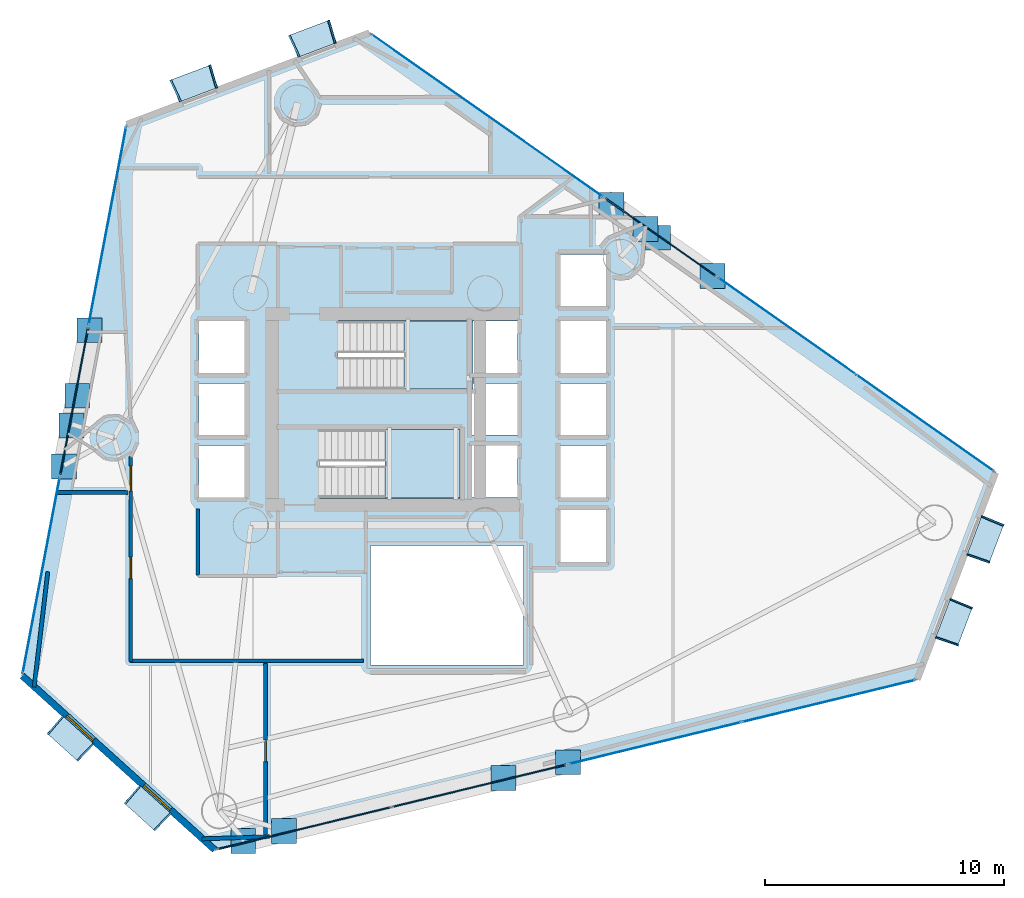
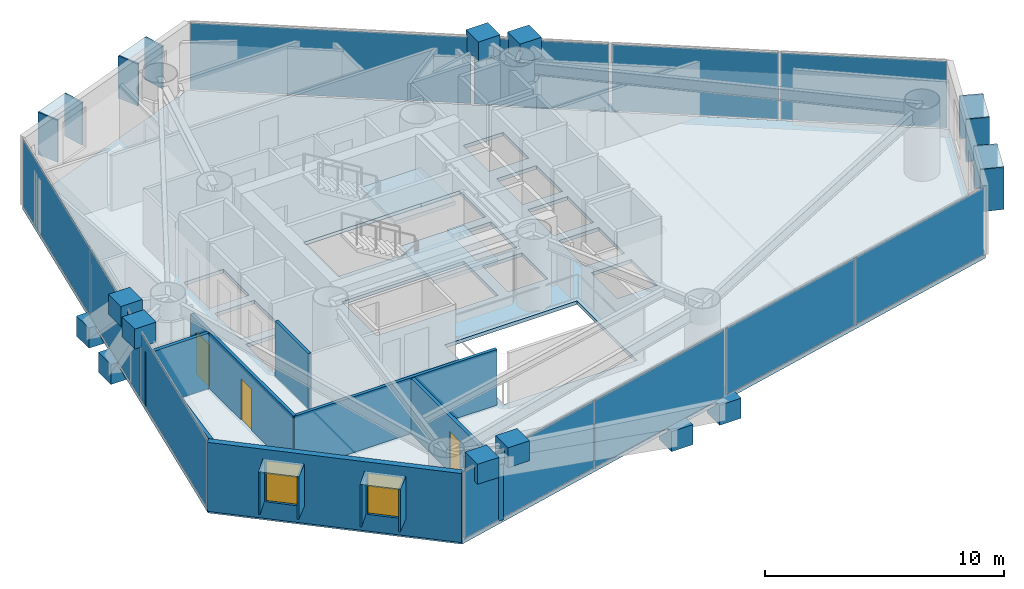
# One storey, part 18 of 24: 41 plates, 8 walls, 3 doors, 3 slabs, 2 windows, 5 openings, 10 elements without a shape of their own.
"""IFC4 building model written with IfcOpenShell, lengths in metres."""

from ifc_helpers import new_model, si_unit, direction, frame, frame_2d, origin, origin_2d, place, context, subcontext, project, spatial, polyline, rectangle, outline, extrude, material, layer, layer_set, type_object, element, fill, aggregate, save


model = new_model("IFC4")

# Units and contexts
model_context = context("Model", 3, precision=1e-05, world=origin(), true_north=direction((0.0, 1.0)))
body_context = subcontext(model_context, "Body", "Model", "MODEL_VIEW")
ifc_project = project(units=[si_unit("LENGTHUNIT", "METRE"), si_unit("AREAUNIT", "SQUARE_METRE"), si_unit("VOLUMEUNIT", "CUBIC_METRE"), si_unit("PLANEANGLEUNIT", "RADIAN"), si_unit("MASSUNIT", "GRAM", prefix="KILO")], contexts=[model_context])

# Site, building, storey
site_placement = place(None, origin())
site = spatial("IfcSite", under=ifc_project, at=site_placement, CompositionType="ELEMENT")
building_placement = place(site_placement, origin())
building = spatial("IfcBuilding", under=site, at=building_placement, Name="Qianvela Tower", CompositionType="ELEMENT")
storey_placement = place(building_placement, frame((0.0, 0.0, 101.5)))
storey = spatial("IfcBuildingStorey", under=building, at=storey_placement, Name="L25", CompositionType="ELEMENT", Elevation=101.5)

# Curtain wall, plate
ifc_material_1 = material(Name="Anodised Architectural Aluminium and Insulated Spandrel Panel", Category="aluminium")
ifc_layer_1 = layer(ifc_material_1, 0.179931640625)
ifc_layer_set_1 = layer_set([ifc_layer_1], Name="Anodised Architectural Aluminium and Insulated Spandrel Panel")
curtain_wall_type_1 = type_object("IfcCurtainWallType", Name="CW-BRACEBAY", PredefinedType="USERDEFINED", material=ifc_layer_set_1)
curtain_wall_1_placement = place(storey_placement, origin())
curtain_wall_1 = element("IfcCurtainWall", 1, at=curtain_wall_1_placement, inside=storey, type_object=curtain_wall_type_1, Name="L25 CW-BRACEBAY Curtain Wall 02B", ObjectType="CURTAIN_WALL_SYSTEM", PredefinedType="USERDEFINED")
ifc_material_2 = material(Name="Insulated Aluminium Spandrel Panel with Mineral-Wool Backpan", Category="aluminium")
ifc_layer_2 = layer(ifc_material_2, 0.06005859375)
ifc_layer_set_2 = layer_set([ifc_layer_2], Name="Insulated Aluminium Spandrel Panel with Mineral-Wool Backpan")
plate_type_1 = type_object("IfcPlateType", Name="CW-BRACEBAY-PNL", PredefinedType="CURTAIN_PANEL", material=ifc_layer_set_2)
plate_1_placement = place(storey_placement, frame((45.733154296875, 35.891845703125, 0.06494140625), z_axis=(0.0, 0.0, 1.0), x_axis=(-0.81841890017, 0.574622053044, 0.0)))
plate_1 = element("IfcPlate", 2, at=plate_1_placement, type_object=plate_type_1, Name="CW-9 panel 1.1", PredefinedType="CURTAIN_PANEL", context=body_context, shape_type="SweptSolid", body=[
    extrude(rectangle(XDim=5.66015625, YDim=0.06005859375, at=origin_2d()), origin(), (0.0, 0.0, 1.0), 3.389892578125),
])
aggregate(curtain_wall_1, [plate_1])

curtain_wall_2_placement = place(storey_placement, origin())
curtain_wall_2 = element("IfcCurtainWall", 3, at=curtain_wall_2_placement, inside=storey, type_object=curtain_wall_type_1, Name="L25 CW-BRACEBAY Curtain Wall 04B", ObjectType="CURTAIN_WALL_SYSTEM", PredefinedType="USERDEFINED")
plate_2_placement = place(storey_placement, frame((21.224365234375, 29.033935546875, 0.06494140625), z_axis=(0.0, 0.0, 1.0), x_axis=(-0.186011720937, -0.982547525402, 0.0)))
plate_2 = element("IfcPlate", 4, at=plate_2_placement, type_object=plate_type_1, Name="CW-9 panel 1.1", PredefinedType="CURTAIN_PANEL", context=body_context, shape_type="SweptSolid", body=[
    extrude(rectangle(XDim=6.260009765625, YDim=0.06005859375, at=origin_2d()), origin(), (0.0, 0.0, 1.0), 3.389892578125),
])
aggregate(curtain_wall_2, [plate_2])

# Curtain wall, plates
curtain_wall_3_placement = place(storey_placement, origin())
curtain_wall_3 = element("IfcCurtainWall", 5, at=curtain_wall_3_placement, inside=storey, type_object=curtain_wall_type_1, Name="L25 CW-BRACEBAY Curtain Wall 06A", ObjectType="CURTAIN_WALL_SYSTEM", PredefinedType="USERDEFINED")
plate_3_placement = place(storey_placement, frame((30.840087890625, 11.186279296875, 0.06494140625), z_axis=(0.0, 0.0, 1.0), x_axis=(0.971825595685, 0.235701106427, 0.0)))
plate_3 = element("IfcPlate", 6, at=plate_3_placement, type_object=plate_type_1, Name="CW-9 panel 1.1", PredefinedType="CURTAIN_PANEL", context=body_context, shape_type="SweptSolid", body=[
    extrude(rectangle(XDim=7.46240234375, YDim=0.06005859375, at=origin_2d()), origin(), (0.0, 0.0, 1.0), 3.389892578125),
])
plate_4_placement = place(storey_placement, frame((38.155517578125, 12.960693359375, 0.06494140625), z_axis=(0.0, 0.0, 1.0), x_axis=(0.971825595685, 0.235701106427, 0.0)))
plate_4 = element("IfcPlate", 7, at=plate_4_placement, type_object=plate_type_1, Name="CW-9 panel 2.1", PredefinedType="CURTAIN_PANEL", context=body_context, shape_type="SweptSolid", body=[
    extrude(rectangle(XDim=7.46240234375, YDim=0.06005859375, at=origin_2d()), origin(), (0.0, 0.0, 1.0), 3.389892578125),
])
aggregate(curtain_wall_3, [plate_3, plate_4])

ifc_material_3 = material(Name="Anodised Architectural Aluminium and Low-E Glass", Category="aluminium")
ifc_layer_3 = layer(ifc_material_3, 0.169921875)
ifc_layer_set_3 = layer_set([ifc_layer_3], Name="Anodised Architectural Aluminium and Low-E Glass")
curtain_wall_type_2 = type_object("IfcCurtainWallType", Name="CW-COLIV-Z34", PredefinedType="USERDEFINED", material=ifc_layer_set_3)
curtain_wall_4_placement = place(storey_placement, origin())
curtain_wall_4 = element("IfcCurtainWall", 8, at=curtain_wall_4_placement, inside=storey, type_object=curtain_wall_type_2, Name="L25 CW-COLIV-Z34 Curtain Wall 02A", ObjectType="CURTAIN_WALL_SYSTEM", PredefinedType="USERDEFINED")
ifc_material_4 = material(Name="Double-Silver Low-E Insulated Glass", Category="glass")
ifc_layer_4 = layer(ifc_material_4, 0.028076171875)
ifc_layer_set_4 = layer_set([ifc_layer_4], Name="Double-Silver Low-E Insulated Glass")
plate_type_2 = type_object("IfcPlateType", Name="CW-COLIV-Z34-PNL", PredefinedType="CURTAIN_PANEL", material=ifc_layer_set_4)
plate_5_placement = place(storey_placement, frame((56.786865234375, 28.130859375, 0.06494140625), z_axis=(0.0, 0.0, 1.0), x_axis=(-0.818418814863, 0.574622174545, 0.0)))
plate_5 = element("IfcPlate", 9, at=plate_5_placement, type_object=plate_type_2, Name="CW-4 panel 1.1", PredefinedType="CURTAIN_PANEL", context=body_context, shape_type="SweptSolid", body=[
    extrude(rectangle(XDim=6.987548828125, YDim=0.028076171875, at=origin_2d()), origin(), (0.0, 0.0, 1.0), 3.389892578125),
])
plate_6_placement = place(storey_placement, frame((51.014892578125, 32.183349609375, 0.06494140625), z_axis=(0.0, 0.0, 1.0), x_axis=(-0.818418814863, 0.574622174545, 0.0)))
plate_6 = element("IfcPlate", 10, at=plate_6_placement, type_object=plate_type_2, Name="CW-4 panel 2.1", PredefinedType="CURTAIN_PANEL", context=body_context, shape_type="SweptSolid", body=[
    extrude(rectangle(XDim=6.987548828125, YDim=0.028076171875, at=origin_2d()), origin(), (0.0, 0.0, 1.0), 3.389892578125),
])
aggregate(curtain_wall_4, [plate_5, plate_6])

# Curtain wall, plate
curtain_wall_5_placement = place(storey_placement, origin())
curtain_wall_5 = element("IfcCurtainWall", 11, at=curtain_wall_5_placement, inside=storey, type_object=curtain_wall_type_2, Name="L25 CW-COLIV-Z34 Curtain Wall 02C", ObjectType="CURTAIN_WALL_SYSTEM", PredefinedType="USERDEFINED")
plate_7_placement = place(storey_placement, frame((38.486083984375, 40.979736328125, 0.06494140625), z_axis=(0.0, 0.0, 1.0), x_axis=(-0.818419152701, 0.57462169337, 0.0)))
plate_7 = element("IfcPlate", 12, at=plate_7_placement, type_object=plate_type_2, Name="CW-4 panel 1.1", PredefinedType="CURTAIN_PANEL", context=body_context, shape_type="SweptSolid", body=[
    extrude(rectangle(XDim=11.789306640625, YDim=0.028076171875, at=origin_2d()), origin(), (0.0, 0.0, 1.0), 3.389892578125),
])
aggregate(curtain_wall_5, [plate_7])

curtain_wall_6_placement = place(storey_placement, origin())
curtain_wall_6 = element("IfcCurtainWall", 13, at=curtain_wall_6_placement, inside=storey, type_object=curtain_wall_type_2, Name="L25 CW-COLIV-Z34 Curtain Wall 04A", ObjectType="CURTAIN_WALL_SYSTEM", PredefinedType="USERDEFINED")
plate_8_placement = place(storey_placement, frame((22.612060546875, 36.36376953125, 0.06494140625), z_axis=(0.0, 0.0, 1.0), x_axis=(-0.186012495338, -0.982547378796, 0.0)))
plate_8 = element("IfcPlate", 14, at=plate_8_placement, type_object=plate_type_2, Name="CW-4 panel 1.1", PredefinedType="CURTAIN_PANEL", context=body_context, shape_type="SweptSolid", body=[
    extrude(rectangle(XDim=8.400146484375, YDim=0.028076171875, at=origin_2d()), origin(), (0.0, 0.0, 1.0), 3.389892578125),
])
aggregate(curtain_wall_6, [plate_8])

curtain_wall_7_placement = place(storey_placement, origin())
curtain_wall_7 = element("IfcCurtainWall", 15, at=curtain_wall_7_placement, inside=storey, type_object=curtain_wall_type_2, Name="L25 CW-COLIV-Z34 Curtain Wall 04C", ObjectType="CURTAIN_WALL_SYSTEM", PredefinedType="USERDEFINED")
plate_9_placement = place(storey_placement, frame((19.845458984375, 21.749755859375, 0.06494140625), z_axis=(0.0, 0.0, 1.0), x_axis=(-0.186001457299, -0.982549468415, 0.0)))
plate_9 = element("IfcPlate", 16, at=plate_9_placement, type_object=plate_type_2, Name="CW-4 panel 1.1", PredefinedType="CURTAIN_PANEL", context=body_context, shape_type="SweptSolid", body=[
    extrude(rectangle(XDim=8.30712890625, YDim=0.028076171875, at=origin_2d()), origin(), (0.0, 0.0, 1.0), 3.389892578125),
])
aggregate(curtain_wall_7, [plate_9])

# Curtain wall, plates
curtain_wall_8_placement = place(storey_placement, origin())
curtain_wall_8 = element("IfcCurtainWall", 17, at=curtain_wall_8_placement, inside=storey, type_object=curtain_wall_type_2, Name="L25 CW-COLIV-Z34 Curtain Wall 06B", ObjectType="CURTAIN_WALL_SYSTEM", PredefinedType="USERDEFINED")
plate_10_placement = place(storey_placement, frame((45.502685546875, 14.74267578125, 0.06494140625), z_axis=(0.0, 0.0, 1.0), x_axis=(0.971825014075, 0.235703504468, 0.0)))
plate_10 = element("IfcPlate", 18, at=plate_10_placement, type_object=plate_type_2, Name="CW-4 panel 1.1", PredefinedType="CURTAIN_PANEL", context=body_context, shape_type="SweptSolid", body=[
    extrude(rectangle(XDim=7.39794921875, YDim=0.028076171875, at=origin_2d()), origin(), (0.0, 0.0, 1.0), 3.389892578125),
])
plate_11_placement = place(storey_placement, frame((52.75537109375, 16.501708984375, 0.06494140625), z_axis=(0.0, 0.0, 1.0), x_axis=(0.971825014075, 0.235703504468, 0.0)))
plate_11 = element("IfcPlate", 19, at=plate_11_placement, type_object=plate_type_2, Name="CW-4 panel 2.1", PredefinedType="CURTAIN_PANEL", context=body_context, shape_type="SweptSolid", body=[
    extrude(rectangle(XDim=7.39794921875, YDim=0.028076171875, at=origin_2d()), origin(), (0.0, 0.0, 1.0), 3.389892578125),
])
aggregate(curtain_wall_8, [plate_10, plate_11])

# Plates
ifc_material_5 = material(Name="Steel Q420GJC", Category="steel")
ifc_layer_5 = layer(ifc_material_5, 0.1298828125)
ifc_layer_set_5 = layer_set([ifc_layer_5], Name="Steel Q420GJC")
plate_type_3 = type_object("IfcPlateType", Name="PT-ENDCAP-130", PredefinedType="USERDEFINED", material=ifc_layer_set_5)
for number, where, z_axis, x_axis, name in (
    (20, (47.90673828125, 34.267822265625, -1.03662109375), (0.0, 0.0, 1.0), (1.0, 0.0, 0.0), "L25 Hollow Section End Cap Plate A"),
    (21, (45.107421875, 36.2333984375, 2.75244140625), (0.0, 0.0, 1.0), (1.0, 0.0, 0.0), "L25 Hollow Section End Cap Plate B"),
    (22, (45.623291015625, 35.870849609375, -1.04296875), (0.0, 0.0, 1.0), (1.0, 0.0, 0.0), "L25 Hollow Section End Cap Plate A"),
    (23, (43.679931640625, 37.235595703125, 2.7587890625), (0.0, 0.0, 1.0), (1.0, 0.0, 0.0), "L25 Hollow Section End Cap Plate B"),
    (24, (21.8681640625, 32.00390625, -1.032958984375), (0.0, 0.0, 1.0), (1.0, 0.0, 0.0), "L25 Hollow Section End Cap Plate A"),
    (25, (21.115478515625, 28.02880859375, 2.7490234375), (0.0, 0.0, 1.0), (1.0, 0.0, 0.0), "L25 Hollow Section End Cap Plate B"),
    (26, (21.349365234375, 29.264404296875, -1.0390625), (0.0, 0.0, 1.0), (1.0, 0.0, 0.0), "L25 Hollow Section End Cap Plate A"),
    (27, (20.790771484375, 26.3134765625, 2.7548828125), (0.0, 0.0, 1.0), (1.0, 0.0, 0.0), "L25 Hollow Section End Cap Plate B"),
    (28, (39.16552734375, 13.287841796875, -1.010986328125), (0.0, 0.0, 1.0), (1.0, 0.0, 0.0), "L25 Hollow Section End Cap Plate A"),
    (29, (28.291259765625, 10.650634765625, 2.72705078125), (0.0, 0.0, 1.0), (1.0, 0.0, 0.0), "L25 Hollow Section End Cap Plate B"),
    (30, (41.869140625, 13.943603515625, -1.009521484375), (0.0, 0.0, 1.0), (1.0, 0.0, 0.0), "L25 Hollow Section End Cap Plate A"),
    (31, (29.993896484375, 11.063720703125, 2.7255859375), (0.0, 0.0, 1.0), (1.0, 0.0, 0.0), "L25 Hollow Section End Cap Plate B"),
):
    element("IfcPlate", number, at=place(storey_placement, frame(where, z_axis=z_axis, x_axis=x_axis)), inside=storey, type_object=plate_type_3, Name=name, ObjectType="END_CAP", PredefinedType="USERDEFINED", context=body_context, shape_type="SweptSolid", body=[
        extrude(rectangle(XDim=1.0400390625, YDim=1.0400390625, at=origin_2d()), origin(), (0.0, 0.0, 1.0), 1.02001953125),
    ])

# Slab
ifc_material_6 = material(Name="Concrete C40", Category="concrete")
ifc_layer_6 = layer(ifc_material_6, 0.179931640625)
ifc_layer_set_6 = layer_set([ifc_layer_6], Name="Concrete C40")
slab_type_1 = type_object("IfcSlabType", Name="SL-FLOOR-180", PredefinedType="FLOOR", material=ifc_layer_set_6)
slab_1_placement = place(storey_placement, frame((0.0, 0.0, -0.179931640625)))
element("IfcSlab", 32, at=slab_1_placement, inside=storey, type_object=slab_type_1, Name="L25 Composite Structural Floor Slab", PredefinedType="FLOOR", context=body_context, shape_type="SweptSolid", body=[
    extrude(outline(polyline([(56.4619140625, 17.400634765625), (59.740234375, 26.05712890625), (33.56787109375, 44.43310546875), (23.41455078125, 40.603515625), (19.051513671875, 17.555908203125), (27.10205078125, 10.27978515625), (56.4619140625, 17.400634765625)]), holes=[polyline([(40.0, 23.0), (33.60009765625, 23.0), (33.60009765625, 18.0), (40.0, 18.0), (40.0, 23.0)]), polyline([(28.360107421875, 25.02001953125), (28.360107421875, 27.179931640625), (26.43994140625, 27.179931640625), (26.43994140625, 25.02001953125), (28.360107421875, 25.02001953125)]), polyline([(37.35009765625, 25.0), (37.35009765625, 27.860107421875), (31.469970703125, 27.860107421875), (31.469970703125, 25.0), (37.35009765625, 25.0)]), polyline([(28.360107421875, 27.6201171875), (28.360107421875, 29.780029296875), (26.43994140625, 29.780029296875), (26.43994140625, 27.6201171875), (28.360107421875, 27.6201171875)]), polyline([(37.89990234375, 32.3798828125), (37.89990234375, 32.39990234375), (32.25, 32.39990234375), (32.25, 29.5400390625), (37.840087890625, 29.5400390625), (37.840087890625, 27.6201171875), (39.760009765625, 27.6201171875), (39.760009765625, 29.780029296875), (37.89990234375, 29.780029296875), (37.89990234375, 30.219970703125), (39.760009765625, 30.219970703125), (39.760009765625, 32.3798828125), (37.89990234375, 32.3798828125)]), polyline([(28.360107421875, 30.219970703125), (28.360107421875, 32.3798828125), (26.43994140625, 32.3798828125), (26.43994140625, 30.219970703125), (28.360107421875, 30.219970703125)]), polyline([(43.4599609375, 24.47998046875), (41.5400390625, 24.47998046875), (41.5400390625, 22.320068359375), (43.4599609375, 22.320068359375), (43.4599609375, 24.47998046875)]), polyline([(39.760009765625, 25.02001953125), (39.760009765625, 27.179931640625), (37.840087890625, 27.179931640625), (37.840087890625, 25.02001953125), (39.760009765625, 25.02001953125)]), polyline([(43.4599609375, 25.02001953125), (43.4599609375, 27.179931640625), (41.5400390625, 27.179931640625), (41.5400390625, 25.02001953125), (43.4599609375, 25.02001953125)]), polyline([(43.4599609375, 27.6201171875), (43.4599609375, 29.780029296875), (41.5400390625, 29.780029296875), (41.5400390625, 27.6201171875), (43.4599609375, 27.6201171875)]), polyline([(43.4599609375, 30.219970703125), (43.4599609375, 32.3798828125), (41.5400390625, 32.3798828125), (41.5400390625, 30.219970703125), (43.4599609375, 30.219970703125)]), polyline([(43.4599609375, 33.02001953125), (43.4599609375, 35.179931640625), (41.5400390625, 35.179931640625), (41.5400390625, 33.02001953125), (43.4599609375, 33.02001953125)])]), origin(), (0.0, 0.0, 1.0), 0.179931640625),
])

# Stair, slab
ifc_material_7 = material(Name="Concrete C40", Category="concrete")
stair_type = type_object("IfcStairType", Name="ST-DOGLEG-1350-R168-N22", PredefinedType="HALF_TURN_STAIR", material=ifc_material_7)
stair_1_placement = place(storey_placement, origin())
stair_1 = element("IfcStair", 33, at=stair_1_placement, inside=storey, type_object=stair_type, Name="L25 Smoke-Proof Core Stair ST-1", PredefinedType="HALF_TURN_STAIR")
ifc_material_8 = material(Name="Concrete C40", Category="concrete")
ifc_layer_7 = layer(ifc_material_8, 0.199951171875)
ifc_layer_set_7 = layer_set([ifc_layer_7], Name="Concrete C40")
slab_type_2 = type_object("IfcSlabType", Name="SL-STAIR-LANDING-200", PredefinedType="LANDING", material=ifc_layer_set_7)
slab_2_placement = place(storey_placement, frame((0.0, 0.0, 1.64990234375)))
slab_2 = element("IfcSlab", 34, at=slab_2_placement, type_object=slab_type_2, Name="ST-1 landing 1", PredefinedType="LANDING", context=body_context, shape_type="SweptSolid", body=[
    extrude(outline(polyline([(35.0, 29.5400390625), (37.89990234375, 29.5400390625), (37.89990234375, 32.39990234375), (35.0, 32.39990234375), (35.0, 29.5400390625)])), origin(), (0.0, 0.0, 1.0), 0.2001953125),
])
aggregate(stair_1, [slab_2])

stair_2_placement = place(storey_placement, origin())
stair_2 = element("IfcStair", 35, at=stair_2_placement, inside=storey, type_object=stair_type, Name="L25 Smoke-Proof Core Stair ST-2", PredefinedType="HALF_TURN_STAIR")
slab_3_placement = place(storey_placement, frame((0.0, 0.0, 1.64990234375)))
slab_3 = element("IfcSlab", 36, at=slab_3_placement, type_object=slab_type_2, Name="ST-2 landing 1", PredefinedType="LANDING", context=body_context, shape_type="SweptSolid", body=[
    extrude(outline(polyline([(34.219970703125, 25.0), (37.35009765625, 25.0), (37.35009765625, 27.860107421875), (34.219970703125, 27.860107421875), (34.219970703125, 25.0)])), origin(), (0.0, 0.0, 1.0), 0.2001953125),
])
aggregate(stair_2, [slab_3])

# Plates
ifc_material_9 = material(Name="Vitrified Architectural Terracotta Panel", Category="masonry")
ifc_layer_8 = layer(ifc_material_9, 0.06494140625)
ifc_layer_set_8 = layer_set([ifc_layer_8], Name="Vitrified Architectural Terracotta Panel")
plate_type_4 = type_object("IfcPlateType", Name="TERRACOTTA-SUNSHADE-HOOD-FOLD-B", PredefinedType="USERDEFINED", material=ifc_layer_set_8)
for number, where, z_axis, x_axis, name in (
    (37, (58.001708984375, 19.786865234375, 2.9599609375), (0.0, 0.0, 1.0), (0.354181683614, 0.935176633045, 0.0), "L25 Terracotta Sunshade Hood FOLD-B"),
    (38, (59.313232421875, 23.24951171875, 2.9599609375), (0.0, 0.0, 1.0), (0.354181683614, 0.935176633045, 0.0), "L25 Terracotta Sunshade Hood FOLD-B"),
    (39, (21.067626953125, 14.931640625, 2.9599609375), (0.0, 0.0, 1.0), (0.741900948975, -0.670509494273, 0.0), "L25 Terracotta Sunshade Hood FOLD-B"),
    (40, (24.287841796875, 12.021240234375, 2.9599609375), (0.0, 0.0, 1.0), (0.741900948975, -0.670509494273, 0.0), "L25 Terracotta Sunshade Hood FOLD-B"),
):
    element("IfcPlate", number, at=place(storey_placement, frame(where, z_axis=z_axis, x_axis=x_axis)), inside=storey, type_object=plate_type_4, Name=name, ObjectType="SUNSHADE", PredefinedType="USERDEFINED", context=body_context, shape_type="SweptSolid", body=[
        extrude(rectangle(XDim=1.739990234375, YDim=0.989990234375, at=origin_2d()), origin(), (0.0, 0.0, 1.0), 0.06005859375),
    ])
ifc_material_10 = material(Name="Vitrified Architectural Terracotta Panel", Category="masonry")
ifc_layer_9 = layer(ifc_material_10, 0.074951171875)
ifc_layer_set_9 = layer_set([ifc_layer_9], Name="Vitrified Architectural Terracotta Panel")
plate_type_5 = type_object("IfcPlateType", Name="TERRACOTTA-SUNSHADE-HOOD-FOLD-D", PredefinedType="USERDEFINED", material=ifc_layer_set_9)
for number, where, z_axis, x_axis, name in (
    (41, (31.210205078125, 44.1796875, 2.9599609375), (0.0, 0.0, 1.0), (-0.93565362231, -0.352919677914, 0.0), "L25 Terracotta Sunshade Hood FOLD-D"),
    (42, (26.25048828125, 42.30908203125, 2.9599609375), (0.0, 0.0, 1.0), (-0.93565362231, -0.352919677914, 0.0), "L25 Terracotta Sunshade Hood FOLD-D"),
):
    element("IfcPlate", number, at=place(storey_placement, frame(where, z_axis=z_axis, x_axis=x_axis)), inside=storey, type_object=plate_type_5, Name=name, ObjectType="SUNSHADE", PredefinedType="USERDEFINED", context=body_context, shape_type="SweptSolid", body=[
        extrude(rectangle(XDim=1.739990234375, YDim=0.989990234375, at=origin_2d()), origin(), (0.0, 0.0, 1.0), 0.06005859375),
    ])
ifc_material_11 = material(Name="Vitrified Architectural Terracotta Side Fin Panel", Category="masonry")
ifc_layer_10 = layer(ifc_material_11, 0.070068359375)
ifc_layer_set_10 = layer_set([ifc_layer_10], Name="Vitrified Architectural Terracotta Side Fin Panel")
plate_type_6 = type_object("IfcPlateType", Name="TERRACOTTA-SUNSHADE-STRUT-FOLD-B", PredefinedType="USERDEFINED", material=ifc_layer_set_10)
for number, where, z_axis, x_axis, name in (
    (43, (57.704345703125, 19.001220703125, 0.85009765625), (0.0, 0.0, 1.0), (0.325457586069, 0.945556640117, 0.0), "L25 Terracotta Sunshade Side Fin HL FOLD-B"),
    (44, (58.29931640625, 20.572509765625, 0.85009765625), (0.0, 0.0, 1.0), (0.382575393993, 0.92392427607, 0.0), "L25 Terracotta Sunshade Side Fin HR FOLD-B"),
    (45, (59.015625, 22.4638671875, 0.85009765625), (0.0, 0.0, 1.0), (0.325457586069, 0.945556640117, 0.0), "L25 Terracotta Sunshade Side Fin HL FOLD-B"),
    (46, (59.610595703125, 24.034912109375, 0.85009765625), (0.0, 0.0, 1.0), (0.382575393993, 0.92392427607, 0.0), "L25 Terracotta Sunshade Side Fin HR FOLD-B"),
    (47, (20.444580078125, 15.494873046875, 0.85009765625), (0.0, 0.0, 1.0), (0.762031282622, -0.64754021057, 0.0), "L25 Terracotta Sunshade Side Fin HL FOLD-B"),
    (48, (21.69091796875, 14.368408203125, 0.85009765625), (0.0, 0.0, 1.0), (0.721078556526, -0.692853314432, 0.0), "L25 Terracotta Sunshade Side Fin HR FOLD-B"),
    (49, (23.664794921875, 12.58447265625, 0.85009765625), (0.0, 0.0, 1.0), (0.762031282622, -0.64754021057, 0.0), "L25 Terracotta Sunshade Side Fin HL FOLD-B"),
    (50, (24.9111328125, 11.4580078125, 0.85009765625), (0.0, 0.0, 1.0), (0.721078556526, -0.692853314432, 0.0), "L25 Terracotta Sunshade Side Fin HR FOLD-B"),
):
    element("IfcPlate", number, at=place(storey_placement, frame(where, z_axis=z_axis, x_axis=x_axis)), inside=storey, type_object=plate_type_6, Name=name, ObjectType="SUNSHADE", PredefinedType="USERDEFINED", context=body_context, shape_type="SweptSolid", body=[
        extrude(rectangle(XDim=0.070068359375, YDim=1.010009765625, at=origin_2d()), origin(), (0.0, 0.0, 1.0), 2.159912109375),
    ])
ifc_material_12 = material(Name="Vitrified Architectural Terracotta Side Fin Panel", Category="masonry")
ifc_layer_11 = layer(ifc_material_12, 0.080078125)
ifc_layer_set_11 = layer_set([ifc_layer_11], Name="Vitrified Architectural Terracotta Side Fin Panel")
plate_type_7 = type_object("IfcPlateType", Name="TERRACOTTA-SUNSHADE-STRUT-FOLD-D", PredefinedType="USERDEFINED", material=ifc_layer_set_11)
for number, where, z_axis, x_axis, name in (
    (51, (31.99609375, 44.476318359375, 0.85009765625), (0.0, 0.0, 1.0), (-0.959235092528, -0.282609336829, 0.0), "L25 Terracotta Sunshade Side Fin HL FOLD-D"),
    (52, (30.424072265625, 43.88330078125, 0.85009765625), (0.0, 0.0, 1.0), (-0.906926403547, -0.42128909142, 0.0), "L25 Terracotta Sunshade Side Fin HR FOLD-D"),
    (53, (27.03662109375, 42.60546875, 0.85009765625), (0.0, 0.0, 1.0), (-0.959235092528, -0.282609336829, 0.0), "L25 Terracotta Sunshade Side Fin HL FOLD-D"),
    (54, (25.464599609375, 42.0126953125, 0.85009765625), (0.0, 0.0, 1.0), (-0.906926403547, -0.42128909142, 0.0), "L25 Terracotta Sunshade Side Fin HR FOLD-D"),
):
    element("IfcPlate", number, at=place(storey_placement, frame(where, z_axis=z_axis, x_axis=x_axis)), inside=storey, type_object=plate_type_7, Name=name, ObjectType="SUNSHADE", PredefinedType="USERDEFINED", context=body_context, shape_type="SweptSolid", body=[
        extrude(rectangle(XDim=0.080078125, YDim=1.010009765625, at=origin_2d()), origin(), (0.0, 0.0, 1.0), 2.159912109375),
    ])

# Wall, openings, windows
ifc_material_13 = material(Name="Terracotta Cladding on Concrete C40", Category="masonry")
ifc_layer_12 = layer(ifc_material_13, 0.280029296875)
ifc_layer_set_12 = layer_set([ifc_layer_12], Name="Terracotta Cladding on Concrete C40")
wall_type_1 = type_object("IfcWallType", Name="TERRACOTTA-WALL-280", PredefinedType="SOLIDWALL", material=ifc_layer_set_12)
wall_1_placement = place(storey_placement, frame((19.051513671875, 17.555908203125, 0.0), z_axis=(0.0, 0.0, 1.0), x_axis=(0.741888527343, -0.670523238223, 0.0)))
wall_1 = element("IfcWall", 55, at=wall_1_placement, inside=storey, type_object=wall_type_1, Name="L25 Terracotta Chamfer Facet Wall 5", PredefinedType="SOLIDWALL", context=body_context, shape_type="SweptSolid", body=[
    extrude(rectangle(XDim=10.851318359375, YDim=0.280029296875, at=frame_2d((5.42578125, 0.0))), origin(), (0.0, 0.0, 1.0), 3.52001953125),
])
opening_1_placement = place(wall_1_placement, frame((2.50537109375, 0.0, 0.85009765625)))
opening_1 = element("IfcOpeningElement", 56, at=opening_1_placement, cuts=wall_1, Name="Opening W-02", PredefinedType="OPENING", context=body_context, shape_type="SweptSolid", body=[
    extrude(rectangle(XDim=1.5, YDim=2.10009765625, at=frame_2d((0.75, 1.050048828125))), frame((0.0, 0.14990234375, 0.0), z_axis=(0.0, -1.0, 0.0), x_axis=(1.0, 0.0, 0.0)), (0.0, 0.0, 1.0), 0.300048828125),
])
opening_2_placement = place(wall_1_placement, frame((6.845947265625, 0.0, 0.85009765625)))
opening_2 = element("IfcOpeningElement", 57, at=opening_2_placement, cuts=wall_1, Name="Opening W-02", PredefinedType="OPENING", context=body_context, shape_type="SweptSolid", body=[
    extrude(rectangle(XDim=1.5, YDim=2.10009765625, at=frame_2d((0.75, 1.050048828125))), frame((0.0, 0.14990234375, 0.0), z_axis=(0.0, -1.0, 0.0), x_axis=(1.0, 0.0, 0.0)), (0.0, 0.0, 1.0), 0.300048828125),
])
ifc_material_14 = material(Name="Thermally Broken Aluminium and Low-E Glass", Category="aluminium")
window_type = type_object("IfcWindowType", Name="WIN-TC-1500x2100", PartitioningType="DOUBLE_PANEL_VERTICAL", PredefinedType="WINDOW", material=ifc_material_14)
window_1_placement = place(opening_1_placement, origin())
window_1 = element("IfcWindow", 58, at=window_1_placement, inside=storey, type_object=window_type, Name="L25 Chamfer Facet Window 5.1", OverallHeight=2.10009765625, OverallWidth=1.5, PartitioningType="SINGLE_PANEL", PredefinedType="WINDOW", context=body_context, shape_type="SweptSolid", body=[
    extrude(rectangle(XDim=1.5, YDim=2.10009765625, at=frame_2d((0.75, 1.050048828125))), frame((0.0, 0.030029296875, 0.0), z_axis=(0.0, -1.0, 0.0), x_axis=(1.0, 0.0, 0.0)), (0.0, 0.0, 1.0), 0.06005859375),
])
fill(opening_1, window_1)
window_2_placement = place(opening_2_placement, origin())
window_2 = element("IfcWindow", 59, at=window_2_placement, inside=storey, type_object=window_type, Name="L25 Chamfer Facet Window 5.2", OverallHeight=2.10009765625, OverallWidth=1.5, PartitioningType="SINGLE_PANEL", PredefinedType="WINDOW", context=body_context, shape_type="SweptSolid", body=[
    extrude(rectangle(XDim=1.5, YDim=2.10009765625, at=frame_2d((0.75, 1.050048828125))), frame((0.0, 0.030029296875, 0.0), z_axis=(0.0, -1.0, 0.0), x_axis=(1.0, 0.0, 0.0)), (0.0, 0.0, 1.0), 0.06005859375),
])
fill(opening_2, window_2)

# Walls
ifc_material_15 = material(Name="Fire-Rated Acoustic Gypsum Board")
ifc_layer_13 = layer(ifc_material_15, 0.14990234375)
ifc_layer_set_13 = layer_set([ifc_layer_13], Name="Fire-Rated Acoustic Gypsum Board")
wall_type_2 = type_object("IfcWallType", Name="WT-CORR-150", PredefinedType="PARTITIONING", material=ifc_layer_set_13)
wall_2_placement = place(storey_placement, frame((26.388916015625, 24.530517578125, 0.0), z_axis=(0.0, 0.0, 1.0), x_axis=(0.0, -1.0, 0.0)))
element("IfcWall", 60, at=wall_2_placement, inside=storey, type_object=wall_type_2, Name="L25 Partition 46", PredefinedType="PARTITIONING", context=body_context, shape_type="SweptSolid", body=[
    extrude(rectangle(XDim=2.75048828125, YDim=0.14990234375, at=frame_2d((1.375244140625, 0.0))), origin(), (0.0, 0.0, 1.0), 2.840087890625),
])
wall_3_placement = place(storey_placement, frame((33.320068359375, 18.180908203125, 0.0), z_axis=(0.0, 0.0, 1.0), x_axis=(-1.0, 0.0, 0.0)))
element("IfcWall", 61, at=wall_3_placement, inside=storey, type_object=wall_type_2, Name="L25 Partition 48", PredefinedType="PARTITIONING", context=body_context, shape_type="SweptSolid", body=[
    extrude(rectangle(XDim=9.77001953125, YDim=0.14990234375, at=frame_2d((4.885009765625, 0.0))), origin(), (0.0, 0.0, 1.0), 2.840087890625),
])

# Wall, openings, doors
wall_4_placement = place(storey_placement, frame((23.5810546875, 18.14990234375, 0.0), z_axis=(0.0, 0.0, 1.0), x_axis=(0.0, 1.0, 0.0)))
wall_4 = element("IfcWall", 62, at=wall_4_placement, inside=storey, type_object=wall_type_2, Name="L25 Partition 49", PredefinedType="PARTITIONING", context=body_context, shape_type="SweptSolid", body=[
    extrude(rectangle(XDim=8.575439453125, YDim=0.14990234375, at=frame_2d((4.28759765625, 0.0))), origin(), (0.0, 0.0, 1.0), 2.840087890625),
])
opening_3_placement = place(wall_4_placement, frame((3.474365234375, 0.0, 0.0)))
opening_3 = element("IfcOpeningElement", 63, at=opening_3_placement, cuts=wall_4, Name="Opening D-KT1", PredefinedType="OPENING", context=body_context, shape_type="SweptSolid", body=[
    extrude(rectangle(XDim=0.89990234375, YDim=2.10009765625, at=frame_2d((0.449951171875, 1.050048828125))), frame((0.0, 0.0849609375, 0.0), z_axis=(0.0, -1.0, 0.0), x_axis=(1.0, 0.0, 0.0)), (0.0, 0.0, 1.0), 0.169921875),
])
opening_4_placement = place(wall_4_placement, frame((7.12841796875, 0.0, 0.0)))
opening_4 = element("IfcOpeningElement", 64, at=opening_4_placement, cuts=wall_4, Name="Opening D-PL1", PredefinedType="OPENING", context=body_context, shape_type="SweptSolid", body=[
    extrude(rectangle(XDim=1.050048828125, YDim=2.14990234375, at=frame_2d((0.52490234375, 1.074951171875))), frame((0.0, 0.0849609375, 0.0), z_axis=(0.0, -1.0, 0.0), x_axis=(1.0, 0.0, 0.0)), (0.0, 0.0, 1.0), 0.169921875),
])
ifc_material_16 = material(Name="Glazed Timber Kitchen Door", Category="wood")
door_type_1 = type_object("IfcDoorType", Name="DT-KITCH-900", OperationType="NOTDEFINED", PredefinedType="DOOR", material=ifc_material_16)
door_1_placement = place(opening_3_placement, origin())
door_1 = element("IfcDoor", 65, at=door_1_placement, inside=storey, type_object=door_type_1, Name="L25 Door Floor Dining Kitchen L25-01 to L25 Floor Corridor", OperationType="SINGLE_SWING_RIGHT", OverallHeight=2.10009765625, OverallWidth=0.89990234375, PredefinedType="DOOR", context=body_context, shape_type="SweptSolid", body=[
    extrude(rectangle(XDim=0.89990234375, YDim=2.10009765625, at=frame_2d((0.449951171875, 1.050048828125))), frame((0.0, 0.02490234375, 0.0), z_axis=(0.0, -1.0, 0.0), x_axis=(1.0, 0.0, 0.0)), (0.0, 0.0, 1.0), 0.050048828125),
])
fill(opening_3, door_1)
ifc_material_17 = material(Name="Insulated Steel Fire Door Q355B", Category="steel")
door_type_2 = type_object("IfcDoorType", Name="DT-PLANT-FD90", OperationType="NOTDEFINED", PredefinedType="DOOR", material=ifc_material_17)
door_2_placement = place(opening_4_placement, origin())
door_2 = element("IfcDoor", 66, at=door_2_placement, inside=storey, type_object=door_type_2, Name="L25 Door Print Copy Kiosk L25-06 to L25 Floor Corridor", OperationType="SINGLE_SWING_RIGHT", OverallHeight=2.14990234375, OverallWidth=1.050048828125, PredefinedType="DOOR", context=body_context, shape_type="SweptSolid", body=[
    extrude(rectangle(XDim=1.050048828125, YDim=2.14990234375, at=frame_2d((0.52490234375, 1.074951171875))), frame((0.0, 0.02490234375, 0.0), z_axis=(0.0, -1.0, 0.0), x_axis=(1.0, 0.0, 0.0)), (0.0, 0.0, 1.0), 0.050048828125),
])
fill(opening_4, door_2)

# Wall
ifc_material_18 = material(Name="Sanitary Service Chase Partition")
ifc_layer_14 = layer(ifc_material_18, 0.1650390625)
ifc_layer_set_14 = layer_set([ifc_layer_14], Name="Sanitary Service Chase Partition")
wall_type_3 = type_object("IfcWallType", Name="WT-PLUMB-165", PredefinedType="PLUMBINGWALL", material=ifc_layer_set_14)
wall_5_placement = place(storey_placement, frame((20.483642578125, 25.22705078125, 0.0), z_axis=(0.0, 0.0, 1.0), x_axis=(1.0, 0.0, 0.0)))
element("IfcWall", 67, at=wall_5_placement, inside=storey, type_object=wall_type_3, Name="L25 Partition 54", PredefinedType="PLUMBINGWALL", context=body_context, shape_type="SweptSolid", body=[
    extrude(rectangle(XDim=2.986328125, YDim=0.1650390625, at=frame_2d((1.4931640625, 0.0))), origin(), (0.0, 0.0, 1.0), 2.840087890625),
])

# Wall, opening, door
wall_6_placement = place(storey_placement, frame((29.22705078125, 18.070068359375, 0.0), z_axis=(0.0, 0.0, 1.0), x_axis=(0.0, -1.0, 0.0)))
wall_6 = element("IfcWall", 68, at=wall_6_placement, inside=storey, type_object=wall_type_3, Name="L25 Partition 57", PredefinedType="PLUMBINGWALL", context=body_context, shape_type="SweptSolid", body=[
    extrude(rectangle(XDim=7.294921875, YDim=0.1650390625, at=frame_2d((3.6474609375, 0.0))), origin(), (0.0, 0.0, 1.0), 2.840087890625),
])
opening_5_placement = place(wall_6_placement, frame((3.197509765625, 0.0, 0.0)))
opening_5 = element("IfcOpeningElement", 69, at=opening_5_placement, cuts=wall_6, Name="Opening D-KT1", PredefinedType="OPENING", context=body_context, shape_type="SweptSolid", body=[
    extrude(rectangle(XDim=0.89990234375, YDim=2.10009765625, at=frame_2d((0.449951171875, 1.050048828125))), frame((0.0, 0.092529296875, 0.0), z_axis=(0.0, -1.0, 0.0), x_axis=(1.0, 0.0, 0.0)), (0.0, 0.0, 1.0), 0.18505859375),
])
door_3_placement = place(opening_5_placement, origin())
door_3 = element("IfcDoor", 70, at=door_3_placement, inside=storey, type_object=door_type_1, Name="L25 Door Social Galley Kitchen L25-02 to Floor Dining Kitchen L25-01", OperationType="SINGLE_SWING_LEFT", OverallHeight=2.10009765625, OverallWidth=0.89990234375, PredefinedType="DOOR", context=body_context, shape_type="SweptSolid", body=[
    extrude(rectangle(XDim=0.89990234375, YDim=2.10009765625, at=frame_2d((0.449951171875, 1.050048828125))), frame((0.0, 0.02490234375, 0.0), z_axis=(0.0, -1.0, 0.0), x_axis=(1.0, 0.0, 0.0)), (0.0, 0.0, 1.0), 0.050048828125),
])
fill(opening_5, door_3)

# Walls
wall_7_placement = place(storey_placement, frame((29.386474609375, 10.833740234375, 0.0), z_axis=(0.0, 0.0, 1.0), x_axis=(-0.999476511247, -0.032352796885, 0.0)))
element("IfcWall", 71, at=wall_7_placement, inside=storey, type_object=wall_type_3, Name="L25 Partition 58", PredefinedType="PLUMBINGWALL", context=body_context, shape_type="SweptSolid", body=[
    extrude(rectangle(XDim=2.822265625, YDim=0.1650390625, at=frame_2d((1.4111328125, 0.0))), origin(), (0.0, 0.0, 1.0), 2.840087890625),
])
wall_8_placement = place(storey_placement, frame((19.54833984375, 17.083740234375, 0.0), z_axis=(0.0, 0.0, 1.0), x_axis=(0.117654076747, 0.9930546401, 0.0)))
element("IfcWall", 72, at=wall_8_placement, inside=storey, type_object=wall_type_3, Name="L25 Partition 60 seg 1", PredefinedType="PLUMBINGWALL", context=body_context, shape_type="SweptSolid", body=[
    extrude(rectangle(XDim=4.86181640625, YDim=0.1650390625, at=frame_2d((2.430908203125, 0.0))), origin(), (0.0, 0.0, 1.0), 2.840087890625),
])

save(model, "model.ifc")
